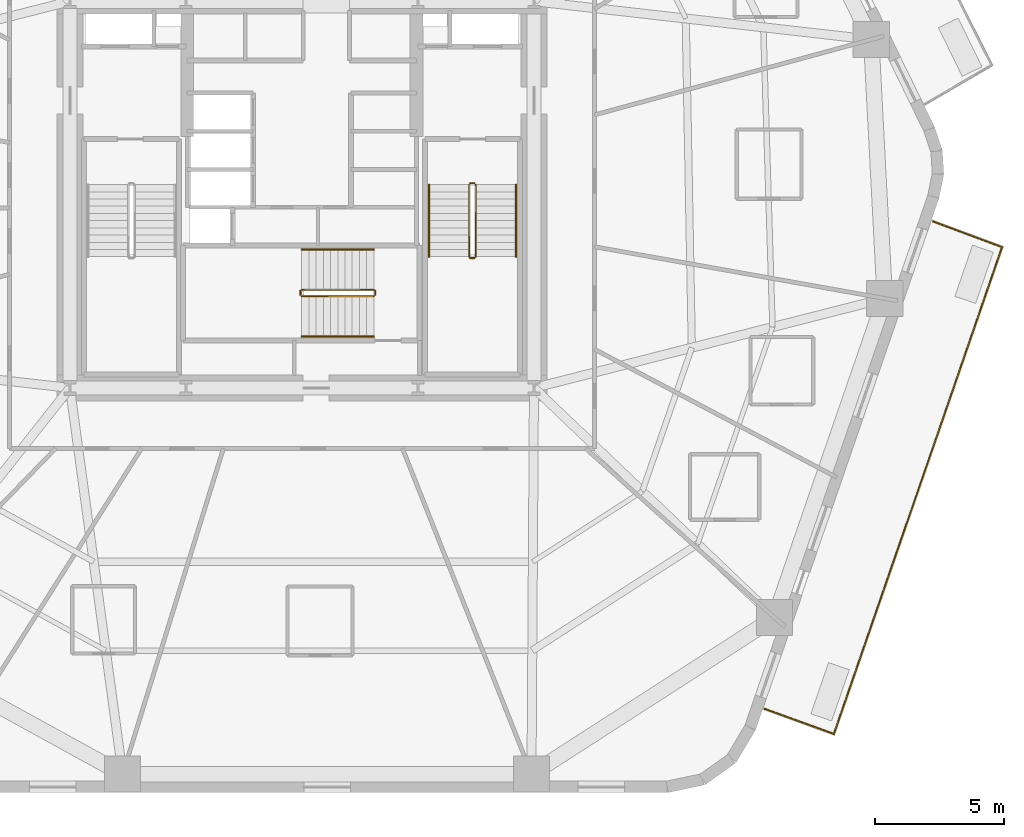
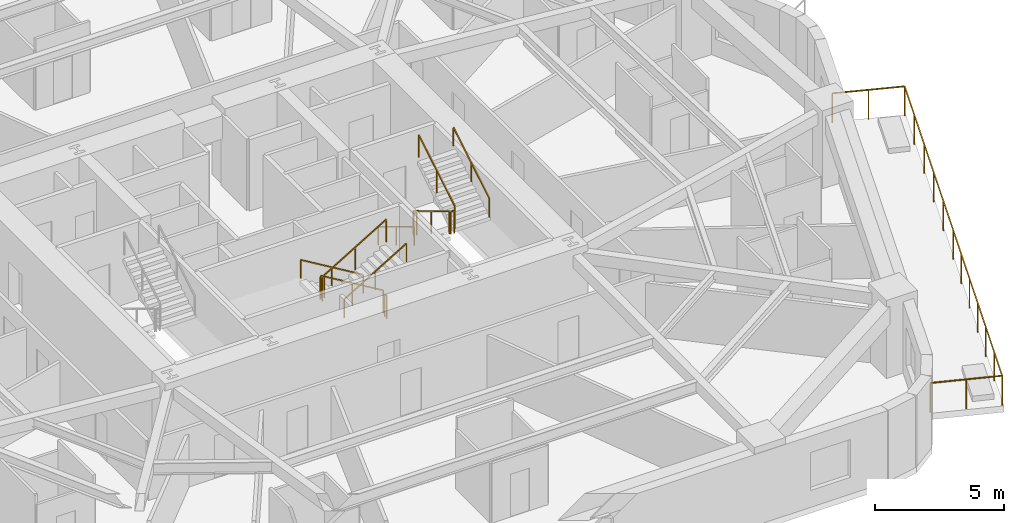
# One storey, part 9 of 10: 13 railings.
"""IFC4 building model written with IfcOpenShell, lengths in metres."""

from ifc_helpers import new_model, si_unit, direction, frame, origin, origin_2d, place, context, subcontext, project, spatial, rectangle, extrude, material, layer, layer_set, type_object, element, save


model = new_model("IFC4")

# Units and contexts
model_context = context("Model", 3, precision=1e-05, world=origin(), true_north=direction((0.0, 1.0)))
body_context = subcontext(model_context, "Body", "Model", "MODEL_VIEW")
ifc_project = project(units=[si_unit("LENGTHUNIT", "METRE"), si_unit("AREAUNIT", "SQUARE_METRE"), si_unit("VOLUMEUNIT", "CUBIC_METRE"), si_unit("PLANEANGLEUNIT", "RADIAN"), si_unit("MASSUNIT", "GRAM", prefix="KILO")], contexts=[model_context])

# Site, building, storey
site_placement = place(None, origin())
site = spatial("IfcSite", under=ifc_project, at=site_placement, CompositionType="ELEMENT")
building_placement = place(site_placement, origin())
building = spatial("IfcBuilding", under=site, at=building_placement, Name="Kilnhurst Terrace Hotel", CompositionType="ELEMENT")
storey_placement = place(building_placement, frame((0.0, 0.0, 82.300048828125)))
storey = spatial("IfcBuildingStorey", under=building, at=storey_placement, Name="L19", CompositionType="ELEMENT", Elevation=82.300048828125)

# Railings
ifc_material_1 = material(Name="Laminated SentryGlas and Stainless Steel AISI 316L Balustrade", Category="steel")
ifc_layer_1 = layer(ifc_material_1, 0.070068359375, Name="Laminated SentryGlas and Stainless Steel AISI 316L Balustrade")
ifc_layer_set_1 = layer_set([ifc_layer_1], Name="Laminated SentryGlas and Stainless Steel AISI 316L Balustrade")
railing_type_1 = type_object("IfcRailingType", Name="RLG-BAL-1420", PredefinedType="BALUSTRADE", material=ifc_layer_set_1)
railing_1_placement = place(storey_placement, frame((24.485107421875, -1.041748046875, 0.0)))
element("IfcRailing", 1, at=railing_1_placement, inside=storey, type_object=railing_type_1, Name="L19 Exterior Terrace Guardrail BAL-L1A.1", PredefinedType="BALUSTRADE", context=body_context, shape_type="SweptSolid", body=[
    extrude(rectangle(XDim=0.048095703125, YDim=0.048095703125, at=origin_2d()), frame((0.0, 0.0, 1.39599609375), z_axis=(0.937279097592, -0.348579823308, 0.0), x_axis=(0.348579823308, 0.937279097592, 0.0)), (0.0, 0.0, 1.0), 2.85205078125),
    extrude(rectangle(XDim=0.048095703125, YDim=0.048095703125, at=origin_2d()), frame((2.673095703125, -0.994140625, 1.39599609375), z_axis=(-0.326159116329, -0.945314884488, 0.0), x_axis=(0.945314884488, -0.326159116329, 0.0)), (0.0, 0.0, 1.0), 9.91650390625),
    extrude(rectangle(XDim=0.048095703125, YDim=0.048095703125, at=origin_2d()), frame((-0.561279296875, -10.368408203125, 1.39599609375), z_axis=(-0.326903959129, -0.945057565181, 0.0), x_axis=(0.945057565181, -0.326903959129, 0.0)), (0.0, 0.0, 1.0), 10.065673828125),
    extrude(rectangle(XDim=0.048095703125, YDim=0.048095703125, at=origin_2d()), frame((-3.851806640625, -19.881103515625, 1.39599609375), z_axis=(-0.939926315563, 0.341377388402, 0.0), x_axis=(-0.341377388402, -0.939926315563, 0.0)), (0.0, 0.0, 1.0), 2.84130859375),
    extrude(rectangle(XDim=0.0419921875, YDim=0.0419921875, at=origin_2d()), origin(), (0.0, 0.0, 1.0), 1.371826171875),
    extrude(rectangle(XDim=0.0419921875, YDim=0.0419921875, at=origin_2d()), frame((1.33642578125, -0.4970703125, 0.0)), (0.0, 0.0, 1.0), 1.371826171875),
    extrude(rectangle(XDim=0.0419921875, YDim=0.0419921875, at=origin_2d()), frame((2.673095703125, -0.994140625, 0.0)), (0.0, 0.0, 1.0), 1.371826171875),
    extrude(rectangle(XDim=0.0419921875, YDim=0.0419921875, at=origin_2d()), frame((2.026123046875, -2.868896484375, 0.0)), (0.0, 0.0, 1.0), 1.371826171875),
    extrude(rectangle(XDim=0.0419921875, YDim=0.0419921875, at=origin_2d()), frame((1.37939453125, -4.743896484375, 0.0)), (0.0, 0.0, 1.0), 1.371826171875),
    extrude(rectangle(XDim=0.0419921875, YDim=0.0419921875, at=origin_2d()), frame((0.732421875, -6.61865234375, 0.0)), (0.0, 0.0, 1.0), 1.371826171875),
    extrude(rectangle(XDim=0.0419921875, YDim=0.0419921875, at=origin_2d()), frame((0.085693359375, -8.49365234375, 0.0)), (0.0, 0.0, 1.0), 1.371826171875),
    extrude(rectangle(XDim=0.0419921875, YDim=0.0419921875, at=origin_2d()), frame((-0.561279296875, -10.368408203125, 0.0)), (0.0, 0.0, 1.0), 1.371826171875),
    extrude(rectangle(XDim=0.0419921875, YDim=0.0419921875, at=origin_2d()), frame((-1.109619140625, -11.953857421875, 0.0)), (0.0, 0.0, 1.0), 1.371826171875),
    extrude(rectangle(XDim=0.0419921875, YDim=0.0419921875, at=origin_2d()), frame((-1.658203125, -13.539306640625, 0.0)), (0.0, 0.0, 1.0), 1.371826171875),
    extrude(rectangle(XDim=0.0419921875, YDim=0.0419921875, at=origin_2d()), frame((-2.20654296875, -15.124755859375, 0.0)), (0.0, 0.0, 1.0), 1.371826171875),
    extrude(rectangle(XDim=0.0419921875, YDim=0.0419921875, at=origin_2d()), frame((-2.7548828125, -16.710205078125, 0.0)), (0.0, 0.0, 1.0), 1.371826171875),
    extrude(rectangle(XDim=0.0419921875, YDim=0.0419921875, at=origin_2d()), frame((-3.303466796875, -18.295654296875, 0.0)), (0.0, 0.0, 1.0), 1.371826171875),
    extrude(rectangle(XDim=0.0419921875, YDim=0.0419921875, at=origin_2d()), frame((-3.851806640625, -19.881103515625, 0.0)), (0.0, 0.0, 1.0), 1.371826171875),
    extrude(rectangle(XDim=0.0419921875, YDim=0.0419921875, at=origin_2d()), frame((-5.18701171875, -19.39599609375, 0.0)), (0.0, 0.0, 1.0), 1.371826171875),
    extrude(rectangle(XDim=0.0419921875, YDim=0.0419921875, at=origin_2d()), frame((-6.5224609375, -18.9111328125, 0.0)), (0.0, 0.0, 1.0), 1.371826171875),
])
ifc_material_2 = material(Name="Powder-Coated Steel ASTM A500 Grade B", Category="steel")
ifc_layer_2 = layer(ifc_material_2, 0.050048828125, Name="Powder-Coated Steel ASTM A500 Grade B")
ifc_layer_set_2 = layer_set([ifc_layer_2], Name="Powder-Coated Steel ASTM A500 Grade B")
railing_type_2 = type_object("IfcRailingType", Name="RLG-ST-GRD-1100", PredefinedType="GUARDRAIL", material=ifc_layer_set_2)
railing_2_placement = place(storey_placement, frame((6.489990234375, 0.389892578125, 0.168212890625)))
element("IfcRailing", 2, at=railing_2_placement, inside=storey, type_object=railing_type_2, Name="L19 ST-2 stair guard 1", PredefinedType="GUARDRAIL", context=body_context, shape_type="SweptSolid", body=[
    extrude(rectangle(XDim=0.048095703125, YDim=0.048095703125, at=origin_2d()), frame((0.0, 0.0, 1.076171875), z_axis=(0.0, -0.857255387014, 0.514891446264), x_axis=(1.0, 0.0, 0.0)), (0.0, 0.0, 1.0), 3.26611328125),
    extrude(rectangle(XDim=0.0419921875, YDim=0.0419921875, at=origin_2d()), origin(), (0.0, 0.0, 1.0), 1.052001953125),
    extrude(rectangle(XDim=0.0419921875, YDim=0.0419921875, at=origin_2d()), frame((0.0, -1.39990234375, 0.8408203125)), (0.0, 0.0, 1.0), 1.052001953125),
    extrude(rectangle(XDim=0.0419921875, YDim=0.0419921875, at=origin_2d()), frame((0.0, -2.7998046875, 1.681640625)), (0.0, 0.0, 1.0), 1.052001953125),
])
railing_3_placement = place(storey_placement, frame((6.5400390625, -2.4599609375, 1.849853515625)))
element("IfcRailing", 3, at=railing_3_placement, inside=storey, type_object=railing_type_2, Name="L19 ST-2 stair guard 2", PredefinedType="GUARDRAIL", context=body_context, shape_type="SweptSolid", body=[
    extrude(rectangle(XDim=0.048095703125, YDim=0.048095703125, at=origin_2d()), frame((0.0, 0.0, 1.076171875), z_axis=(1.0, 0.0, 0.0), x_axis=(0.0, 1.0, 0.0)), (0.0, 0.0, 1.0), 0.14990234375),
    extrude(rectangle(XDim=0.0419921875, YDim=0.0419921875, at=origin_2d()), origin(), (0.0, 0.0, 1.0), 1.052001953125),
    extrude(rectangle(XDim=0.0419921875, YDim=0.0419921875, at=origin_2d()), frame((0.14990234375, 0.0, 0.0)), (0.0, 0.0, 1.0), 1.052001953125),
])
railing_4_placement = place(storey_placement, frame((6.739990234375, -2.409912109375, 2.01806640625)))
element("IfcRailing", 4, at=railing_4_placement, inside=storey, type_object=railing_type_2, Name="L19 ST-2 stair guard 3", PredefinedType="GUARDRAIL", context=body_context, shape_type="SweptSolid", body=[
    extrude(rectangle(XDim=0.048095703125, YDim=0.048095703125, at=origin_2d()), frame((0.0, 0.0, 1.076171875), z_axis=(0.0, 0.857222391501, 0.514946377315), x_axis=(-1.0, 0.0, 0.0)), (0.0, 0.0, 1.0), 3.26611328125),
    extrude(rectangle(XDim=0.0419921875, YDim=0.0419921875, at=origin_2d()), origin(), (0.0, 0.0, 1.0), 1.052001953125),
    extrude(rectangle(XDim=0.0419921875, YDim=0.0419921875, at=origin_2d()), frame((0.0, 1.39990234375, 0.8408203125)), (0.0, 0.0, 1.0), 1.052001953125),
    extrude(rectangle(XDim=0.0419921875, YDim=0.0419921875, at=origin_2d()), frame((0.0, 2.7998046875, 1.681884765625)), (0.0, 0.0, 1.0), 1.052001953125),
])
railing_5_placement = place(storey_placement, frame((6.5400390625, 0.43994140625, 0.0)))
element("IfcRailing", 5, at=railing_5_placement, inside=storey, type_object=railing_type_2, Name="L19 ST-2 stair guard 4", PredefinedType="GUARDRAIL", context=body_context, shape_type="SweptSolid", body=[
    extrude(rectangle(XDim=0.048095703125, YDim=0.048095703125, at=origin_2d()), frame((0.0, 0.0, 1.076171875), z_axis=(1.0, 0.0, 0.0), x_axis=(0.0, 1.0, 0.0)), (0.0, 0.0, 1.0), 0.14990234375),
    extrude(rectangle(XDim=0.0419921875, YDim=0.0419921875, at=origin_2d()), origin(), (0.0, 0.0, 1.0), 1.052001953125),
    extrude(rectangle(XDim=0.0419921875, YDim=0.0419921875, at=origin_2d()), frame((0.14990234375, 0.0, 0.0)), (0.0, 0.0, 1.0), 1.052001953125),
])
railing_6_placement = place(storey_placement, frame((2.7900390625, -3.68994140625, 0.168212890625)))
element("IfcRailing", 6, at=railing_6_placement, inside=storey, type_object=railing_type_2, Name="L19 ST-3 stair guard 1", PredefinedType="GUARDRAIL", context=body_context, shape_type="SweptSolid", body=[
    extrude(rectangle(XDim=0.048095703125, YDim=0.048095703125, at=origin_2d()), frame((0.0, 0.0, 1.076171875), z_axis=(-0.857275202839, 0.0, 0.514858452973), x_axis=(0.0, -1.0, 0.0)), (0.0, 0.0, 1.0), 3.26611328125),
    extrude(rectangle(XDim=0.0419921875, YDim=0.0419921875, at=origin_2d()), origin(), (0.0, 0.0, 1.0), 1.052001953125),
    extrude(rectangle(XDim=0.0419921875, YDim=0.0419921875, at=origin_2d()), frame((-1.39990234375, 0.0, 0.8408203125)), (0.0, 0.0, 1.0), 1.052001953125),
    extrude(rectangle(XDim=0.0419921875, YDim=0.0419921875, at=origin_2d()), frame((-2.800048828125, 0.0, 1.681640625)), (0.0, 0.0, 1.0), 1.052001953125),
])
railing_7_placement = place(storey_placement, frame((-0.06005859375, -3.739990234375, 1.849853515625)))
element("IfcRailing", 7, at=railing_7_placement, inside=storey, type_object=railing_type_2, Name="L19 ST-3 stair guard 2", PredefinedType="GUARDRAIL", context=body_context, shape_type="SweptSolid", body=[
    extrude(rectangle(XDim=0.048095703125, YDim=0.048095703125, at=origin_2d()), frame((0.0, 0.0, 1.076171875), z_axis=(0.0, -1.0, 0.0), x_axis=(1.0, 0.0, 0.0)), (0.0, 0.0, 1.0), 0.14990234375),
    extrude(rectangle(XDim=0.0419921875, YDim=0.0419921875, at=origin_2d()), origin(), (0.0, 0.0, 1.0), 1.052001953125),
    extrude(rectangle(XDim=0.0419921875, YDim=0.0419921875, at=origin_2d()), frame((0.0, -0.14990234375, 0.0)), (0.0, 0.0, 1.0), 1.052001953125),
])
railing_8_placement = place(storey_placement, frame((-0.010009765625, -3.93994140625, 2.01806640625)))
element("IfcRailing", 8, at=railing_8_placement, inside=storey, type_object=railing_type_2, Name="L19 ST-3 stair guard 3", PredefinedType="GUARDRAIL", context=body_context, shape_type="SweptSolid", body=[
    extrude(rectangle(XDim=0.048095703125, YDim=0.048095703125, at=origin_2d()), frame((0.0, 0.0, 1.076171875), z_axis=(0.857242210791, 0.0, 0.514913383045), x_axis=(0.0, 1.0, 0.0)), (0.0, 0.0, 1.0), 3.266357421875),
    extrude(rectangle(XDim=0.0419921875, YDim=0.0419921875, at=origin_2d()), origin(), (0.0, 0.0, 1.0), 1.052001953125),
    extrude(rectangle(XDim=0.0419921875, YDim=0.0419921875, at=origin_2d()), frame((1.39990234375, 0.0, 0.8408203125)), (0.0, 0.0, 1.0), 1.052001953125),
    extrude(rectangle(XDim=0.0419921875, YDim=0.0419921875, at=origin_2d()), frame((2.800048828125, 0.0, 1.681884765625)), (0.0, 0.0, 1.0), 1.052001953125),
])
railing_9_placement = place(storey_placement, frame((2.840087890625, -3.739990234375, 0.0)))
element("IfcRailing", 9, at=railing_9_placement, inside=storey, type_object=railing_type_2, Name="L19 ST-3 stair guard 4", PredefinedType="GUARDRAIL", context=body_context, shape_type="SweptSolid", body=[
    extrude(rectangle(XDim=0.048095703125, YDim=0.048095703125, at=origin_2d()), frame((0.0, 0.0, 1.076171875), z_axis=(0.0, -1.0, 0.0), x_axis=(1.0, 0.0, 0.0)), (0.0, 0.0, 1.0), 0.14990234375),
    extrude(rectangle(XDim=0.0419921875, YDim=0.0419921875, at=origin_2d()), origin(), (0.0, 0.0, 1.0), 1.052001953125),
    extrude(rectangle(XDim=0.0419921875, YDim=0.0419921875, at=origin_2d()), frame((0.0, -0.14990234375, 0.0)), (0.0, 0.0, 1.0), 1.052001953125),
])
ifc_material_3 = material(Name="Brushed Stainless Steel AISI 304", Category="steel")
ifc_layer_3 = layer(ifc_material_3, 0.048095703125, Name="Brushed Stainless Steel AISI 304")
ifc_layer_set_3 = layer_set([ifc_layer_3], Name="Brushed Stainless Steel AISI 304")
railing_type_3 = type_object("IfcRailingType", Name="RLG-ST-HRL-900", PredefinedType="HANDRAIL", material=ifc_layer_set_3)
railing_10_placement = place(storey_placement, frame((4.929931640625, 0.389892578125, 0.168212890625)))
element("IfcRailing", 10, at=railing_10_placement, inside=storey, type_object=railing_type_3, Name="L19 ST-2 stair handrail 1", PredefinedType="HANDRAIL", context=body_context, shape_type="SweptSolid", body=[
    extrude(rectangle(XDim=0.048095703125, YDim=0.048095703125, at=origin_2d()), frame((0.0, 0.0, 0.8759765625), z_axis=(0.0, -0.857255387014, 0.514891446264), x_axis=(1.0, 0.0, 0.0)), (0.0, 0.0, 1.0), 3.26611328125),
    extrude(rectangle(XDim=0.0419921875, YDim=0.0419921875, at=origin_2d()), origin(), (0.0, 0.0, 1.0), 0.851806640625),
    extrude(rectangle(XDim=0.0419921875, YDim=0.0419921875, at=origin_2d()), frame((0.0, -1.39990234375, 0.8408203125)), (0.0, 0.0, 1.0), 0.851806640625),
    extrude(rectangle(XDim=0.0419921875, YDim=0.0419921875, at=origin_2d()), frame((0.0, -2.7998046875, 1.681640625)), (0.0, 0.0, 1.0), 0.851806640625),
])
railing_11_placement = place(storey_placement, frame((8.300048828125, -2.409912109375, 2.01806640625)))
element("IfcRailing", 11, at=railing_11_placement, inside=storey, type_object=railing_type_3, Name="L19 ST-2 stair handrail 2", PredefinedType="HANDRAIL", context=body_context, shape_type="SweptSolid", body=[
    extrude(rectangle(XDim=0.048095703125, YDim=0.048095703125, at=origin_2d()), frame((0.0, 0.0, 0.8759765625), z_axis=(0.0, 0.857222391501, 0.514946377315), x_axis=(-1.0, 0.0, 0.0)), (0.0, 0.0, 1.0), 3.26611328125),
    extrude(rectangle(XDim=0.0419921875, YDim=0.0419921875, at=origin_2d()), origin(), (0.0, 0.0, 1.0), 0.851806640625),
    extrude(rectangle(XDim=0.0419921875, YDim=0.0419921875, at=origin_2d()), frame((0.0, 1.39990234375, 0.8408203125)), (0.0, 0.0, 1.0), 0.851806640625),
    extrude(rectangle(XDim=0.0419921875, YDim=0.0419921875, at=origin_2d()), frame((0.0, 2.7998046875, 1.681884765625)), (0.0, 0.0, 1.0), 0.851806640625),
])
railing_12_placement = place(storey_placement, frame((2.7900390625, -2.1298828125, 0.168212890625)))
element("IfcRailing", 12, at=railing_12_placement, inside=storey, type_object=railing_type_3, Name="L19 ST-3 stair handrail 1", PredefinedType="HANDRAIL", context=body_context, shape_type="SweptSolid", body=[
    extrude(rectangle(XDim=0.048095703125, YDim=0.048095703125, at=origin_2d()), frame((0.0, 0.0, 0.8759765625), z_axis=(-0.857275202839, 0.0, 0.514858452973), x_axis=(0.0, -1.0, 0.0)), (0.0, 0.0, 1.0), 3.26611328125),
    extrude(rectangle(XDim=0.0419921875, YDim=0.0419921875, at=origin_2d()), origin(), (0.0, 0.0, 1.0), 0.851806640625),
    extrude(rectangle(XDim=0.0419921875, YDim=0.0419921875, at=origin_2d()), frame((-1.39990234375, 0.0, 0.8408203125)), (0.0, 0.0, 1.0), 0.851806640625),
    extrude(rectangle(XDim=0.0419921875, YDim=0.0419921875, at=origin_2d()), frame((-2.800048828125, 0.0, 1.681640625)), (0.0, 0.0, 1.0), 0.851806640625),
])
railing_13_placement = place(storey_placement, frame((-0.010009765625, -5.5, 2.01806640625)))
element("IfcRailing", 13, at=railing_13_placement, inside=storey, type_object=railing_type_3, Name="L19 ST-3 stair handrail 2", PredefinedType="HANDRAIL", context=body_context, shape_type="SweptSolid", body=[
    extrude(rectangle(XDim=0.048095703125, YDim=0.048095703125, at=origin_2d()), frame((0.0, 0.0, 0.8759765625), z_axis=(0.857242210791, 0.0, 0.514913383045), x_axis=(0.0, 1.0, 0.0)), (0.0, 0.0, 1.0), 3.266357421875),
    extrude(rectangle(XDim=0.0419921875, YDim=0.0419921875, at=origin_2d()), origin(), (0.0, 0.0, 1.0), 0.851806640625),
    extrude(rectangle(XDim=0.0419921875, YDim=0.0419921875, at=origin_2d()), frame((1.39990234375, 0.0, 0.8408203125)), (0.0, 0.0, 1.0), 0.851806640625),
    extrude(rectangle(XDim=0.0419921875, YDim=0.0419921875, at=origin_2d()), frame((2.800048828125, 0.0, 1.681884765625)), (0.0, 0.0, 1.0), 0.851806640625),
])

save(model, "model.ifc")
